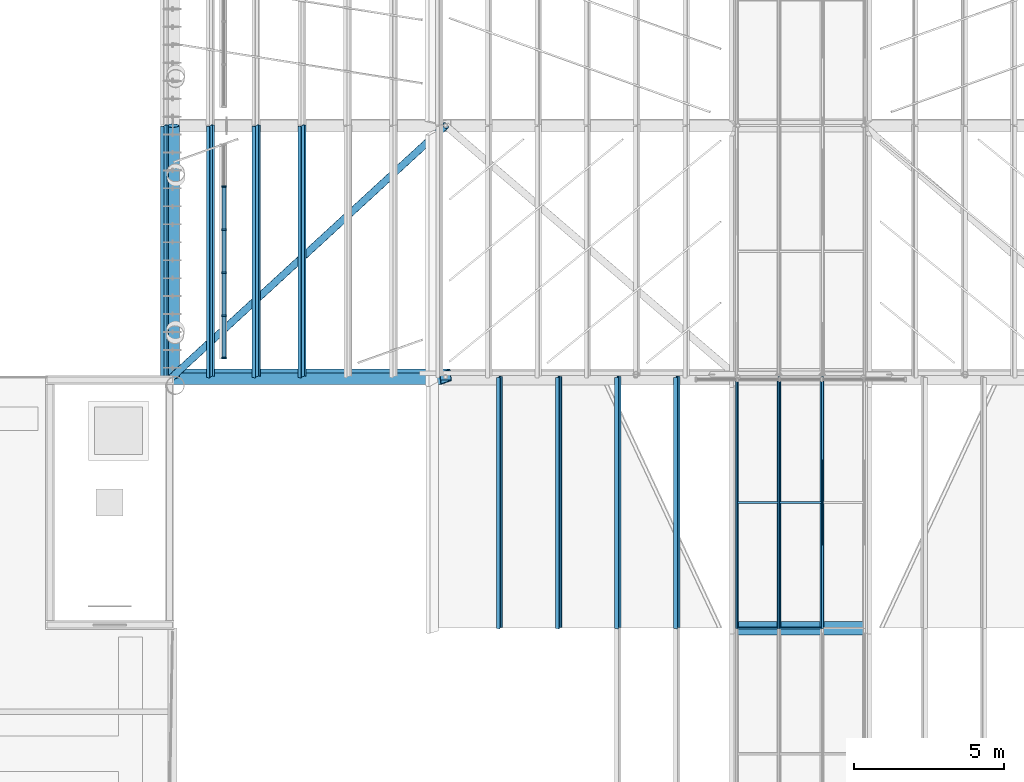
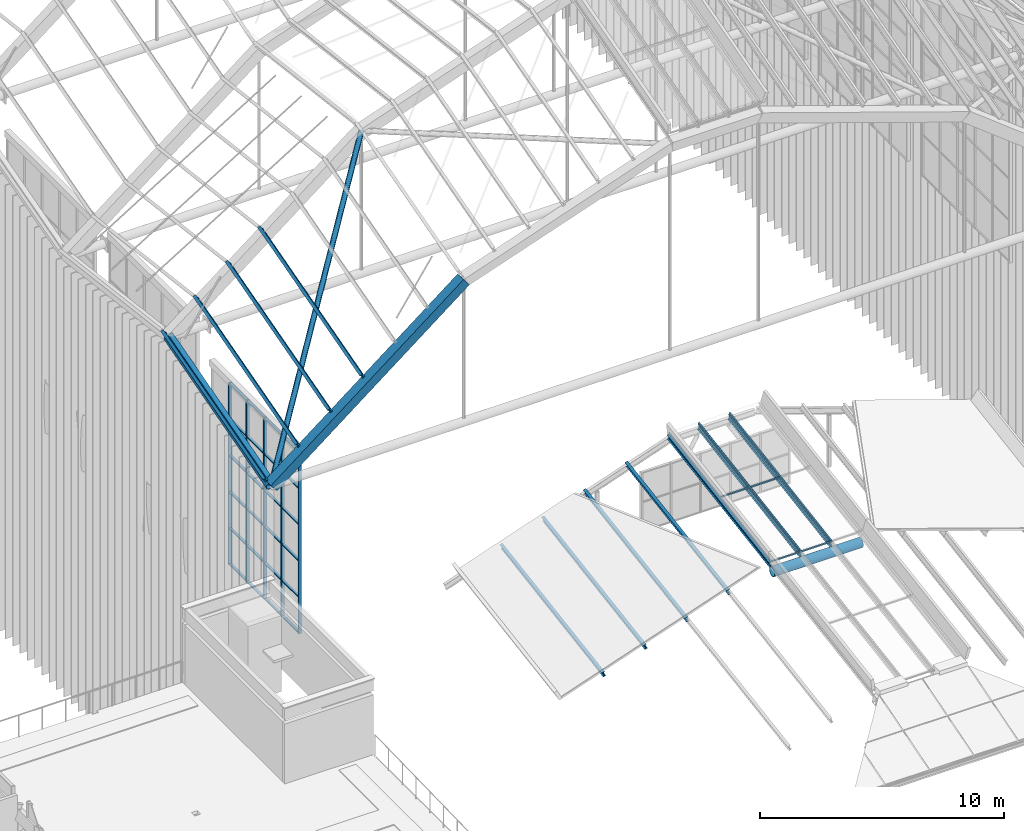
# One storey, part 14 of 126: 48 members, 3 beams, 1 element without a shape of its own.
"""IFC4 building model written with IfcOpenShell, lengths in metres."""

from ifc_helpers import new_model, si_unit, direction, frame, origin, origin_2d, place, context, subcontext, project, spatial, polyline, rectangle, hollow_circle, i_section, outline, extrude, material, material_profile, profile_set, type_object, element, aggregate, save


model = new_model("IFC4")

# Units and contexts
model_context = context("Model", 3, precision=1e-05, world=origin(), true_north=direction((0.0, 1.0)))
body_context = subcontext(model_context, "Body", "Model", "MODEL_VIEW")
ifc_project = project(units=[si_unit("LENGTHUNIT", "METRE"), si_unit("AREAUNIT", "SQUARE_METRE"), si_unit("VOLUMEUNIT", "CUBIC_METRE"), si_unit("PLANEANGLEUNIT", "RADIAN"), si_unit("MASSUNIT", "GRAM", prefix="KILO")], contexts=[model_context])

# Site, building, storey
site_placement = place(None, origin())
site = spatial("IfcSite", under=ifc_project, at=site_placement, CompositionType="ELEMENT")
building_placement = place(site_placement, origin())
building = spatial("IfcBuilding", under=site, at=building_placement, Name="Sava Quay Ferry Terminal", CompositionType="ELEMENT")
storey_placement = place(building_placement, frame((0.0, 0.0, 15.0)))
storey = spatial("IfcBuildingStorey", under=building, at=storey_placement, Name="L03", CompositionType="ELEMENT", Elevation=15.0)

# Beams
ifc_material_1 = material(Name="Steel S355", Category="steel")
ifc_material_profile_1 = material_profile(ifc_material_1, hollow_circle(Radius=0.228515625, WallThickness=0.01611328125, at=origin_2d()), Name="CHS 457 x 16.0")
ifc_profile_set_1 = profile_set([ifc_material_profile_1], Name="Steel S355")
beam_type_1 = type_object("IfcBeamType", Name="Arch rib CHS 457x16", PredefinedType="BEAM", material=ifc_profile_set_1)
beam_1_placement = place(storey_placement, frame((60.89990234375, 42.0, 2.54931640625), z_axis=(1.0, 0.0, 0.0), x_axis=(0.0, 1.0, 0.0)))
element("IfcBeam", 1, at=beam_1_placement, inside=storey, type_object=beam_type_1, Name="Arrivals hall arch rib R1 seg 3", PredefinedType="BEAM", context=body_context, shape_type="SweptSolid", body=[
    extrude(hollow_circle(Radius=0.228515625, WallThickness=0.01611328125, at=origin_2d()), origin(), (0.0, 0.0, 1.0), 4.2001953125),
])
ifc_material_2 = material(Name="Steel S355", Category="steel")
ifc_material_profile_2 = material_profile(ifc_material_2, outline(polyline([(-0.199951171875, -0.300048828125), (0.199951171875, -0.300048828125), (0.199951171875, 0.300048828125), (-0.199951171875, 0.300048828125), (-0.199951171875, -0.300048828125)]), holes=[polyline([(-0.175048828125, -0.27490234375), (-0.175048828125, 0.27490234375), (0.175048828125, 0.27490234375), (0.175048828125, -0.27490234375), (-0.175048828125, -0.27490234375)])]), Name="Box 600x400x25 built-up")
ifc_profile_set_2 = profile_set([ifc_material_profile_2], Name="Steel S355")
beam_type_2 = type_object("IfcBeamType", Name="D folded rib Box 600x400x25", PredefinedType="BEAM", material=ifc_profile_set_2)
beam_2_placement = place(storey_placement, frame((42.0, 50.39990234375, 8.39990234375), z_axis=(0.788000093929, 0.0, 0.615675118847), x_axis=(-0.13292263996, 0.976416061373, 0.170127149152)))
element("IfcBeam", 2, at=beam_2_placement, inside=storey, type_object=beam_type_2, Name="Departure hall folded rib R0 seg 1", PredefinedType="BEAM", context=body_context, shape_type="SweptSolid", body=[
    extrude(outline(polyline([(-0.199951171875, -0.300048828125), (0.199951171875, -0.300048828125), (0.199951171875, 0.300048828125), (-0.199951171875, 0.300048828125), (-0.199951171875, -0.300048828125)]), holes=[polyline([(-0.175048828125, -0.27490234375), (-0.175048828125, 0.27490234375), (0.175048828125, 0.27490234375), (0.175048828125, -0.27490234375), (-0.175048828125, -0.27490234375)])]), origin(), (0.0, 0.0, 1.0), 11.586181640625),
])
ifc_material_3 = material(Name="Steel S355", Category="steel")
ifc_material_profile_3 = material_profile(ifc_material_3, hollow_circle(Radius=0.228515625, WallThickness=0.01611328125, at=origin_2d()), Name="CHS 457 x 16.0")
ifc_profile_set_3 = profile_set([ifc_material_profile_3], Name="Steel S355")
beam_type_3 = type_object("IfcBeamType", Name="Eave beam CHS 457x16", PredefinedType="BEAM", material=ifc_profile_set_3)
beam_3_placement = place(storey_placement, frame((42.0, 50.39990234375, 8.39990234375), z_axis=(0.0, 0.962810996405, 0.270175841262), x_axis=(-1.0, 0.0, 0.0)))
element("IfcBeam", 3, at=beam_3_placement, inside=storey, type_object=beam_type_3, Name="Departure hall eave beam L1", PredefinedType="BEAM", context=body_context, shape_type="SweptSolid", body=[
    extrude(hollow_circle(Radius=0.228515625, WallThickness=0.01611328125, at=origin_2d()), origin(), (0.0, 0.0, 1.0), 8.724609375),
])

# Members
ifc_material_4 = material(Name="Aluminium EN AW-6063 T6", Category="aluminium")
ifc_material_profile_4 = material_profile(ifc_material_4, rectangle(XDim=0.06005859375, YDim=0.06005859375, at=origin_2d()), Name="Bar 60 x 60")
ifc_profile_set_4 = profile_set([ifc_material_profile_4], Name="Aluminium EN AW-6063 T6")
member_type_1 = type_object("IfcMemberType", Name="Glazing bar 60x60", PredefinedType="USERDEFINED", material=ifc_profile_set_4)
for number, where, z_axis, x_axis, name in (
    (4, (60.862548828125, 42.0, 3.084716796875), (0.0, 0.987368718827, 0.158439304094), (-1.0, 0.0, 0.0), "Arrivals hall glazing bar A-B1-GL2.0"),
    (5, (62.270751953125, 42.0, 3.084716796875), (0.0, 0.987368718827, 0.158439304094), (-1.0, 0.0, 0.0), "Arrivals hall glazing bar A-B1-GL2.1"),
    (6, (63.729248046875, 42.0, 3.084716796875), (0.0, 0.987368718827, 0.158439304094), (-1.0, 0.0, 0.0), "Arrivals hall glazing bar A-B1-GL2.2"),
):
    element("IfcMember", number, at=place(storey_placement, frame(where, z_axis=z_axis, x_axis=x_axis)), inside=storey, type_object=member_type_1, Name=name, ObjectType="GLAZING BAR", PredefinedType="USERDEFINED", context=body_context, shape_type="SweptSolid", body=[
        extrude(rectangle(XDim=0.06005859375, YDim=0.06005859375, at=origin_2d()), origin(), (0.0, 0.0, 1.0), 8.50732421875),
    ])
member_1_placement = place(storey_placement, frame((60.892578125, 42.0, 3.084716796875), z_axis=(1.0, 0.0, 0.0), x_axis=(0.0, 0.987367175287, 0.158448922895)))
element("IfcMember", 7, at=member_1_placement, inside=storey, type_object=member_type_1, Name="Arrivals hall glazing bar A-R1-GT2.0", ObjectType="GLAZING BAR", PredefinedType="USERDEFINED", context=body_context, shape_type="SweptSolid", body=[
    extrude(rectangle(XDim=0.06005859375, YDim=0.06005859375, at=origin_2d()), origin(), (0.0, 0.0, 1.0), 1.348388671875),
])
member_2_placement = place(storey_placement, frame((62.30078125, 42.0, 3.084716796875), z_axis=(1.0, 0.0, 0.0), x_axis=(0.0, 0.987367175287, 0.158448922895)))
element("IfcMember", 8, at=member_2_placement, inside=storey, type_object=member_type_1, Name="Arrivals hall glazing bar A-R1-GT2.1", ObjectType="GLAZING BAR", PredefinedType="USERDEFINED", context=body_context, shape_type="SweptSolid", body=[
    extrude(rectangle(XDim=0.06005859375, YDim=0.06005859375, at=origin_2d()), origin(), (0.0, 0.0, 1.0), 1.3984375),
])
member_3_placement = place(storey_placement, frame((60.892578125, 46.199951171875, 3.7587890625), z_axis=(1.0, 0.0, 0.0), x_axis=(0.0, 0.987367175287, 0.158448922895)))
element("IfcMember", 9, at=member_3_placement, inside=storey, type_object=member_type_1, Name="Arrivals hall glazing bar A-B1M-GT2.0", ObjectType="GLAZING BAR", PredefinedType="USERDEFINED", context=body_context, shape_type="SweptSolid", body=[
    extrude(rectangle(XDim=0.06005859375, YDim=0.06005859375, at=origin_2d()), origin(), (0.0, 0.0, 1.0), 1.348388671875),
])
member_4_placement = place(storey_placement, frame((62.30078125, 46.199951171875, 3.7587890625), z_axis=(1.0, 0.0, 0.0), x_axis=(0.0, 0.987367175287, 0.158448922895)))
element("IfcMember", 10, at=member_4_placement, inside=storey, type_object=member_type_1, Name="Arrivals hall glazing bar A-B1M-GT2.1", ObjectType="GLAZING BAR", PredefinedType="USERDEFINED", context=body_context, shape_type="SweptSolid", body=[
    extrude(rectangle(XDim=0.06005859375, YDim=0.06005859375, at=origin_2d()), origin(), (0.0, 0.0, 1.0), 1.3984375),
])

# Curtain wall, members
ifc_material_5 = material(Name="Aluminium and glass curtain wall, double low-e glazed", Category="aluminium")
curtain_wall_type = type_object("IfcCurtainWallType", Name="Curtain wall CW-F flank", PredefinedType="NOTDEFINED", material=ifc_material_5)
curtain_wall_placement = place(storey_placement, origin())
curtain_wall = element("IfcCurtainWall", 11, at=curtain_wall_placement, inside=storey, type_object=curtain_wall_type, Name="Curtain wall D-W L03 bay 1", PredefinedType="NOTDEFINED")
ifc_material_6 = material(Name="Aluminium EN AW-6063 T6", Category="aluminium")
ifc_material_profile_5 = material_profile(ifc_material_6, rectangle(XDim=0.14990234375, YDim=0.06005859375, at=origin_2d()), Name="Mullion 60x150 aluminium")
ifc_profile_set_5 = profile_set([ifc_material_profile_5], Name="Aluminium EN AW-6063 T6")
member_type_2 = type_object("IfcMemberType", Name="Mullion 60x150 aluminium", PredefinedType="MULLION", material=ifc_profile_set_5)
member_5_placement = place(storey_placement, frame((43.72509765625, 51.030029296875, 0.0), z_axis=(0.0, 0.0, 1.0), x_axis=(-1.0, 0.0, 0.0)))
member_5 = element("IfcMember", 12, at=member_5_placement, type_object=member_type_2, Name="CW98 mullion 1", PredefinedType="MULLION", context=body_context, shape_type="SweptSolid", body=[
    extrude(rectangle(XDim=0.14990234375, YDim=0.06005859375, at=origin_2d()), origin(), (0.0, 0.0, 1.0), 9.10009765625),
])
member_6_placement = place(storey_placement, frame((43.72509765625, 52.43994140625, 0.0), z_axis=(0.0, 0.0, 1.0), x_axis=(-1.0, 0.0, 0.0)))
member_6 = element("IfcMember", 13, at=member_6_placement, type_object=member_type_2, Name="CW98 mullion 2", PredefinedType="MULLION", context=body_context, shape_type="SweptSolid", body=[
    extrude(rectangle(XDim=0.14990234375, YDim=0.06005859375, at=origin_2d()), origin(), (0.0, 0.0, 1.0), 9.10009765625),
])
member_7_placement = place(storey_placement, frame((43.72509765625, 53.8798828125, 0.0), z_axis=(0.0, 0.0, 1.0), x_axis=(-1.0, 0.0, 0.0)))
member_7 = element("IfcMember", 14, at=member_7_placement, type_object=member_type_2, Name="CW98 mullion 3", PredefinedType="MULLION", context=body_context, shape_type="SweptSolid", body=[
    extrude(rectangle(XDim=0.14990234375, YDim=0.06005859375, at=origin_2d()), origin(), (0.0, 0.0, 1.0), 9.10009765625),
])
member_8_placement = place(storey_placement, frame((43.72509765625, 55.320068359375, 0.0), z_axis=(0.0, 0.0, 1.0), x_axis=(-1.0, 0.0, 0.0)))
member_8 = element("IfcMember", 15, at=member_8_placement, type_object=member_type_2, Name="CW98 mullion 4", PredefinedType="MULLION", context=body_context, shape_type="SweptSolid", body=[
    extrude(rectangle(XDim=0.14990234375, YDim=0.06005859375, at=origin_2d()), origin(), (0.0, 0.0, 1.0), 9.10009765625),
])
member_9_placement = place(storey_placement, frame((43.72509765625, 56.760009765625, 0.0), z_axis=(0.0, 0.0, 1.0), x_axis=(-1.0, 0.0, 0.0)))
member_9 = element("IfcMember", 16, at=member_9_placement, type_object=member_type_2, Name="CW98 mullion 5", PredefinedType="MULLION", context=body_context, shape_type="SweptSolid", body=[
    extrude(rectangle(XDim=0.14990234375, YDim=0.06005859375, at=origin_2d()), origin(), (0.0, 0.0, 1.0), 9.10009765625),
])

# Members
ifc_material_7 = material(Name="Steel S355", Category="steel")
ifc_material_profile_6 = material_profile(ifc_material_7, hollow_circle(Radius=0.122314453125, WallThickness=0.008056640625, at=origin_2d()), Name="CHS 244.5 x 8.0")
ifc_profile_set_6 = profile_set([ifc_material_profile_6], Name="Steel S355")
member_type_3 = type_object("IfcMemberType", Name="Roof brace CHS 244.5x8", PredefinedType="BRACE", material=ifc_profile_set_6)
member_10_placement = place(storey_placement, frame((42.0, 50.39990234375, 8.39990234375), z_axis=(0.584502690602, 0.537784363984, 0.607572697323), x_axis=(-0.677085093418, 0.735904733149, 0.0)))
element("IfcMember", 17, at=member_10_placement, inside=storey, type_object=member_type_3, Name="Departure hall roof brace bay 1 panel 1", PredefinedType="BRACE", context=body_context, shape_type="SweptSolid", body=[
    extrude(hollow_circle(Radius=0.122314453125, WallThickness=0.008056640625, at=origin_2d()), origin(), (0.0, 0.0, 1.0), 15.619873046875),
])
ifc_material_8 = material(Name="Steel S355", Category="steel")
ifc_material_profile_7 = material_profile(ifc_material_8, i_section(OverallWidth=0.135009765625, OverallDepth=0.27001953125, WebThickness=0.006591796875, FlangeThickness=0.01025390625, at=origin_2d()), Name="IPE 270")
ifc_profile_set_7 = profile_set([ifc_material_profile_7], Name="Steel S355")
member_type_4 = type_object("IfcMemberType", Name="Roof purlin IPE 270", PredefinedType="PURLIN", material=ifc_profile_set_7)
for number, where, z_axis, x_axis, name in (
    (18, (41.738525390625, 50.39990234375, 8.760986328125), (0.0, 0.962810996405, 0.270175841262), (-0.799142410931, 0.162413978801, -0.578785890067), "Departure hall edge purlin bay 1 V0"),
    (19, (43.269775390625, 50.39990234375, 9.957275390625), (0.0, 0.962818275279, 0.270149900588), (-0.799142410931, 0.162398384779, -0.578790265703), "Departure hall purlin bay 1 M0.1"),
    (20, (44.80078125, 50.39990234375, 11.153564453125), (0.0, 0.962818275279, 0.270149900588), (-0.799142410931, 0.162398384779, -0.578790265703), "Departure hall purlin bay 1 M0.2"),
    (21, (46.33203125, 50.39990234375, 12.349853515625), (0.0, 0.962818275279, 0.270149900588), (-0.799142410931, 0.162398384779, -0.578790265703), "Departure hall purlin bay 1 M0.3"),
):
    element("IfcMember", number, at=place(storey_placement, frame(where, z_axis=z_axis, x_axis=x_axis)), inside=storey, type_object=member_type_4, Name=name, PredefinedType="PURLIN", context=body_context, shape_type="SweptSolid", body=[
        extrude(i_section(OverallWidth=0.135009765625, OverallDepth=0.27001953125, WebThickness=0.006591796875, FlangeThickness=0.01025390625, at=origin_2d()), origin(), (0.0, 0.0, 1.0), 8.724609375),
    ])
for number, where, z_axis, x_axis, name in (
    (22, (52.9326171875, 42.0, 0.19482421875), (0.0, 0.98736422906, 0.158467281081), (-0.946779155347, 0.051008062991, -0.317816627176), "Arrivals hall purlin bay 2 M1.1"),
    (23, (54.909423828125, 42.0, 0.87548828125), (0.0, 0.98736422906, 0.158467281081), (-0.946779155347, 0.051008062991, -0.317816627176), "Arrivals hall purlin bay 2 M1.2"),
    (24, (56.88623046875, 42.0, 1.55615234375), (0.0, 0.98736422906, 0.158467281081), (-0.946779155347, 0.051008062991, -0.317816627176), "Arrivals hall purlin bay 2 M1.3"),
    (25, (58.863037109375, 42.0, 2.23681640625), (0.0, 0.98736422906, 0.158467281081), (-0.946779147241, 0.05100806677, -0.31781665072), "Arrivals hall purlin bay 2 M1.4"),
    (26, (60.83984375, 42.0, 2.91748046875), (0.0, 0.98736422906, 0.158467281081), (-0.986605076852, 0.025850294201, -0.161065777305), "Arrivals hall purlin bay 2 V2"),
    (27, (62.280029296875, 42.0, 2.91748046875), (0.0, 0.98736422906, 0.158467281081), (-1.0, 0.0, 0.0), "Arrivals hall purlin bay 2 M2.1"),
    (28, (63.719970703125, 42.0, 2.91748046875), (0.0, 0.98736422906, 0.158467281081), (-1.0, 0.0, 0.0), "Arrivals hall purlin bay 2 M2.2"),
):
    element("IfcMember", number, at=place(storey_placement, frame(where, z_axis=z_axis, x_axis=x_axis)), inside=storey, type_object=member_type_4, Name=name, PredefinedType="PURLIN", context=body_context, shape_type="SweptSolid", body=[
        extrude(i_section(OverallWidth=0.135009765625, OverallDepth=0.27001953125, WebThickness=0.006591796875, FlangeThickness=0.01025390625, at=origin_2d()), origin(), (0.0, 0.0, 1.0), 8.50732421875),
    ])

# Member
ifc_material_9 = material(Name="Aluminium EN AW-6063 T6", Category="aluminium")
ifc_material_profile_8 = material_profile(ifc_material_9, rectangle(XDim=0.1201171875, YDim=0.050048828125, at=origin_2d()), Name="Transom 50x120 aluminium")
ifc_profile_set_8 = profile_set([ifc_material_profile_8], Name="Aluminium EN AW-6063 T6")
member_type_5 = type_object("IfcMemberType", Name="Transom 50x120 aluminium", PredefinedType="USERDEFINED", material=ifc_profile_set_8)
member_11_placement = place(storey_placement, frame((43.72509765625, 51.06005859375, 0.02490234375), z_axis=(0.0, 1.0, 0.0), x_axis=(-1.0, 0.0, 0.0)))
member_11 = element("IfcMember", 29, at=member_11_placement, type_object=member_type_5, Name="CW98 transom 1.1", ObjectType="TRANSOM", PredefinedType="USERDEFINED", context=body_context, shape_type="SweptSolid", body=[
    extrude(rectangle(XDim=0.1201171875, YDim=0.050048828125, at=origin_2d()), origin(), (0.0, 0.0, 1.0), 1.349853515625),
])

member_12_placement = place(storey_placement, frame((43.72509765625, 51.06005859375, 1.820068359375), z_axis=(0.0, 1.0, 0.0), x_axis=(-1.0, 0.0, 0.0)))
member_12 = element("IfcMember", 30, at=member_12_placement, type_object=member_type_5, Name="CW98 transom 1.2", ObjectType="TRANSOM", PredefinedType="USERDEFINED", context=body_context, shape_type="SweptSolid", body=[
    extrude(rectangle(XDim=0.1201171875, YDim=0.050048828125, at=origin_2d()), origin(), (0.0, 0.0, 1.0), 1.349853515625),
])

member_13_placement = place(storey_placement, frame((43.72509765625, 51.06005859375, 3.639892578125), z_axis=(0.0, 1.0, 0.0), x_axis=(-1.0, 0.0, 0.0)))
member_13 = element("IfcMember", 31, at=member_13_placement, type_object=member_type_5, Name="CW98 transom 1.3", ObjectType="TRANSOM", PredefinedType="USERDEFINED", context=body_context, shape_type="SweptSolid", body=[
    extrude(rectangle(XDim=0.1201171875, YDim=0.050048828125, at=origin_2d()), origin(), (0.0, 0.0, 1.0), 1.349853515625),
])

member_14_placement = place(storey_placement, frame((43.72509765625, 51.06005859375, 5.4599609375), z_axis=(0.0, 1.0, 0.0), x_axis=(-1.0, 0.0, 0.0)))
member_14 = element("IfcMember", 32, at=member_14_placement, type_object=member_type_5, Name="CW98 transom 1.4", ObjectType="TRANSOM", PredefinedType="USERDEFINED", context=body_context, shape_type="SweptSolid", body=[
    extrude(rectangle(XDim=0.1201171875, YDim=0.050048828125, at=origin_2d()), origin(), (0.0, 0.0, 1.0), 1.349853515625),
])

member_15_placement = place(storey_placement, frame((43.72509765625, 51.06005859375, 7.280029296875), z_axis=(0.0, 1.0, 0.0), x_axis=(-1.0, 0.0, 0.0)))
member_15 = element("IfcMember", 33, at=member_15_placement, type_object=member_type_5, Name="CW98 transom 1.5", ObjectType="TRANSOM", PredefinedType="USERDEFINED", context=body_context, shape_type="SweptSolid", body=[
    extrude(rectangle(XDim=0.1201171875, YDim=0.050048828125, at=origin_2d()), origin(), (0.0, 0.0, 1.0), 1.349853515625),
])

member_16_placement = place(storey_placement, frame((43.72509765625, 51.06005859375, 9.074951171875), z_axis=(0.0, 1.0, 0.0), x_axis=(-1.0, 0.0, 0.0)))
member_16 = element("IfcMember", 34, at=member_16_placement, type_object=member_type_5, Name="CW98 transom 1.6", ObjectType="TRANSOM", PredefinedType="USERDEFINED", context=body_context, shape_type="SweptSolid", body=[
    extrude(rectangle(XDim=0.1201171875, YDim=0.050048828125, at=origin_2d()), origin(), (0.0, 0.0, 1.0), 1.349853515625),
])

member_17_placement = place(storey_placement, frame((43.72509765625, 52.469970703125, 0.02490234375), z_axis=(0.0, 1.0, 0.0), x_axis=(-1.0, 0.0, 0.0)))
member_17 = element("IfcMember", 35, at=member_17_placement, type_object=member_type_5, Name="CW98 transom 2.1", ObjectType="TRANSOM", PredefinedType="USERDEFINED", context=body_context, shape_type="SweptSolid", body=[
    extrude(rectangle(XDim=0.1201171875, YDim=0.050048828125, at=origin_2d()), origin(), (0.0, 0.0, 1.0), 1.380126953125),
])

member_18_placement = place(storey_placement, frame((43.72509765625, 52.469970703125, 1.820068359375), z_axis=(0.0, 1.0, 0.0), x_axis=(-1.0, 0.0, 0.0)))
member_18 = element("IfcMember", 36, at=member_18_placement, type_object=member_type_5, Name="CW98 transom 2.2", ObjectType="TRANSOM", PredefinedType="USERDEFINED", context=body_context, shape_type="SweptSolid", body=[
    extrude(rectangle(XDim=0.1201171875, YDim=0.050048828125, at=origin_2d()), origin(), (0.0, 0.0, 1.0), 1.380126953125),
])

member_19_placement = place(storey_placement, frame((43.72509765625, 52.469970703125, 3.639892578125), z_axis=(0.0, 1.0, 0.0), x_axis=(-1.0, 0.0, 0.0)))
member_19 = element("IfcMember", 37, at=member_19_placement, type_object=member_type_5, Name="CW98 transom 2.3", ObjectType="TRANSOM", PredefinedType="USERDEFINED", context=body_context, shape_type="SweptSolid", body=[
    extrude(rectangle(XDim=0.1201171875, YDim=0.050048828125, at=origin_2d()), origin(), (0.0, 0.0, 1.0), 1.380126953125),
])

member_20_placement = place(storey_placement, frame((43.72509765625, 52.469970703125, 5.4599609375), z_axis=(0.0, 1.0, 0.0), x_axis=(-1.0, 0.0, 0.0)))
member_20 = element("IfcMember", 38, at=member_20_placement, type_object=member_type_5, Name="CW98 transom 2.4", ObjectType="TRANSOM", PredefinedType="USERDEFINED", context=body_context, shape_type="SweptSolid", body=[
    extrude(rectangle(XDim=0.1201171875, YDim=0.050048828125, at=origin_2d()), origin(), (0.0, 0.0, 1.0), 1.380126953125),
])

member_21_placement = place(storey_placement, frame((43.72509765625, 52.469970703125, 7.280029296875), z_axis=(0.0, 1.0, 0.0), x_axis=(-1.0, 0.0, 0.0)))
member_21 = element("IfcMember", 39, at=member_21_placement, type_object=member_type_5, Name="CW98 transom 2.5", ObjectType="TRANSOM", PredefinedType="USERDEFINED", context=body_context, shape_type="SweptSolid", body=[
    extrude(rectangle(XDim=0.1201171875, YDim=0.050048828125, at=origin_2d()), origin(), (0.0, 0.0, 1.0), 1.380126953125),
])

member_22_placement = place(storey_placement, frame((43.72509765625, 52.469970703125, 9.074951171875), z_axis=(0.0, 1.0, 0.0), x_axis=(-1.0, 0.0, 0.0)))
member_22 = element("IfcMember", 40, at=member_22_placement, type_object=member_type_5, Name="CW98 transom 2.6", ObjectType="TRANSOM", PredefinedType="USERDEFINED", context=body_context, shape_type="SweptSolid", body=[
    extrude(rectangle(XDim=0.1201171875, YDim=0.050048828125, at=origin_2d()), origin(), (0.0, 0.0, 1.0), 1.380126953125),
])

member_23_placement = place(storey_placement, frame((43.72509765625, 53.909912109375, 0.02490234375), z_axis=(0.0, 1.0, 0.0), x_axis=(-1.0, 0.0, 0.0)))
member_23 = element("IfcMember", 41, at=member_23_placement, type_object=member_type_5, Name="CW98 transom 3.1", ObjectType="TRANSOM", PredefinedType="USERDEFINED", context=body_context, shape_type="SweptSolid", body=[
    extrude(rectangle(XDim=0.1201171875, YDim=0.050048828125, at=origin_2d()), origin(), (0.0, 0.0, 1.0), 1.380126953125),
])

member_24_placement = place(storey_placement, frame((43.72509765625, 53.909912109375, 1.820068359375), z_axis=(0.0, 1.0, 0.0), x_axis=(-1.0, 0.0, 0.0)))
member_24 = element("IfcMember", 42, at=member_24_placement, type_object=member_type_5, Name="CW98 transom 3.2", ObjectType="TRANSOM", PredefinedType="USERDEFINED", context=body_context, shape_type="SweptSolid", body=[
    extrude(rectangle(XDim=0.1201171875, YDim=0.050048828125, at=origin_2d()), origin(), (0.0, 0.0, 1.0), 1.380126953125),
])

member_25_placement = place(storey_placement, frame((43.72509765625, 53.909912109375, 3.639892578125), z_axis=(0.0, 1.0, 0.0), x_axis=(-1.0, 0.0, 0.0)))
member_25 = element("IfcMember", 43, at=member_25_placement, type_object=member_type_5, Name="CW98 transom 3.3", ObjectType="TRANSOM", PredefinedType="USERDEFINED", context=body_context, shape_type="SweptSolid", body=[
    extrude(rectangle(XDim=0.1201171875, YDim=0.050048828125, at=origin_2d()), origin(), (0.0, 0.0, 1.0), 1.380126953125),
])

member_26_placement = place(storey_placement, frame((43.72509765625, 53.909912109375, 5.4599609375), z_axis=(0.0, 1.0, 0.0), x_axis=(-1.0, 0.0, 0.0)))
member_26 = element("IfcMember", 44, at=member_26_placement, type_object=member_type_5, Name="CW98 transom 3.4", ObjectType="TRANSOM", PredefinedType="USERDEFINED", context=body_context, shape_type="SweptSolid", body=[
    extrude(rectangle(XDim=0.1201171875, YDim=0.050048828125, at=origin_2d()), origin(), (0.0, 0.0, 1.0), 1.380126953125),
])

member_27_placement = place(storey_placement, frame((43.72509765625, 53.909912109375, 7.280029296875), z_axis=(0.0, 1.0, 0.0), x_axis=(-1.0, 0.0, 0.0)))
member_27 = element("IfcMember", 45, at=member_27_placement, type_object=member_type_5, Name="CW98 transom 3.5", ObjectType="TRANSOM", PredefinedType="USERDEFINED", context=body_context, shape_type="SweptSolid", body=[
    extrude(rectangle(XDim=0.1201171875, YDim=0.050048828125, at=origin_2d()), origin(), (0.0, 0.0, 1.0), 1.380126953125),
])

member_28_placement = place(storey_placement, frame((43.72509765625, 53.909912109375, 9.074951171875), z_axis=(0.0, 1.0, 0.0), x_axis=(-1.0, 0.0, 0.0)))
member_28 = element("IfcMember", 46, at=member_28_placement, type_object=member_type_5, Name="CW98 transom 3.6", ObjectType="TRANSOM", PredefinedType="USERDEFINED", context=body_context, shape_type="SweptSolid", body=[
    extrude(rectangle(XDim=0.1201171875, YDim=0.050048828125, at=origin_2d()), origin(), (0.0, 0.0, 1.0), 1.380126953125),
])

member_29_placement = place(storey_placement, frame((43.72509765625, 55.35009765625, 0.02490234375), z_axis=(0.0, 1.0, 0.0), x_axis=(-1.0, 0.0, 0.0)))
member_29 = element("IfcMember", 47, at=member_29_placement, type_object=member_type_5, Name="CW98 transom 4.1", ObjectType="TRANSOM", PredefinedType="USERDEFINED", context=body_context, shape_type="SweptSolid", body=[
    extrude(rectangle(XDim=0.1201171875, YDim=0.050048828125, at=origin_2d()), origin(), (0.0, 0.0, 1.0), 1.3798828125),
])

member_30_placement = place(storey_placement, frame((43.72509765625, 55.35009765625, 1.820068359375), z_axis=(0.0, 1.0, 0.0), x_axis=(-1.0, 0.0, 0.0)))
member_30 = element("IfcMember", 48, at=member_30_placement, type_object=member_type_5, Name="CW98 transom 4.2", ObjectType="TRANSOM", PredefinedType="USERDEFINED", context=body_context, shape_type="SweptSolid", body=[
    extrude(rectangle(XDim=0.1201171875, YDim=0.050048828125, at=origin_2d()), origin(), (0.0, 0.0, 1.0), 1.3798828125),
])

member_31_placement = place(storey_placement, frame((43.72509765625, 55.35009765625, 3.639892578125), z_axis=(0.0, 1.0, 0.0), x_axis=(-1.0, 0.0, 0.0)))
member_31 = element("IfcMember", 49, at=member_31_placement, type_object=member_type_5, Name="CW98 transom 4.3", ObjectType="TRANSOM", PredefinedType="USERDEFINED", context=body_context, shape_type="SweptSolid", body=[
    extrude(rectangle(XDim=0.1201171875, YDim=0.050048828125, at=origin_2d()), origin(), (0.0, 0.0, 1.0), 1.3798828125),
])

member_32_placement = place(storey_placement, frame((43.72509765625, 55.35009765625, 5.4599609375), z_axis=(0.0, 1.0, 0.0), x_axis=(-1.0, 0.0, 0.0)))
member_32 = element("IfcMember", 50, at=member_32_placement, type_object=member_type_5, Name="CW98 transom 4.4", ObjectType="TRANSOM", PredefinedType="USERDEFINED", context=body_context, shape_type="SweptSolid", body=[
    extrude(rectangle(XDim=0.1201171875, YDim=0.050048828125, at=origin_2d()), origin(), (0.0, 0.0, 1.0), 1.3798828125),
])

member_33_placement = place(storey_placement, frame((43.72509765625, 55.35009765625, 7.280029296875), z_axis=(0.0, 1.0, 0.0), x_axis=(-1.0, 0.0, 0.0)))
member_33 = element("IfcMember", 51, at=member_33_placement, type_object=member_type_5, Name="CW98 transom 4.5", ObjectType="TRANSOM", PredefinedType="USERDEFINED", context=body_context, shape_type="SweptSolid", body=[
    extrude(rectangle(XDim=0.1201171875, YDim=0.050048828125, at=origin_2d()), origin(), (0.0, 0.0, 1.0), 1.3798828125),
])

member_34_placement = place(storey_placement, frame((43.72509765625, 55.35009765625, 9.074951171875), z_axis=(0.0, 1.0, 0.0), x_axis=(-1.0, 0.0, 0.0)))
member_34 = element("IfcMember", 52, at=member_34_placement, type_object=member_type_5, Name="CW98 transom 4.6", ObjectType="TRANSOM", PredefinedType="USERDEFINED", context=body_context, shape_type="SweptSolid", body=[
    extrude(rectangle(XDim=0.1201171875, YDim=0.050048828125, at=origin_2d()), origin(), (0.0, 0.0, 1.0), 1.3798828125),
])

aggregate(curtain_wall, [member_5, member_6, member_7, member_8, member_9, member_11, member_12, member_13, member_14, member_15, member_16, member_17, member_18, member_19, member_20, member_21, member_22, member_23, member_24, member_25, member_26, member_27, member_28, member_29, member_30, member_31, member_32, member_33, member_34])

save(model, "model.ifc")
